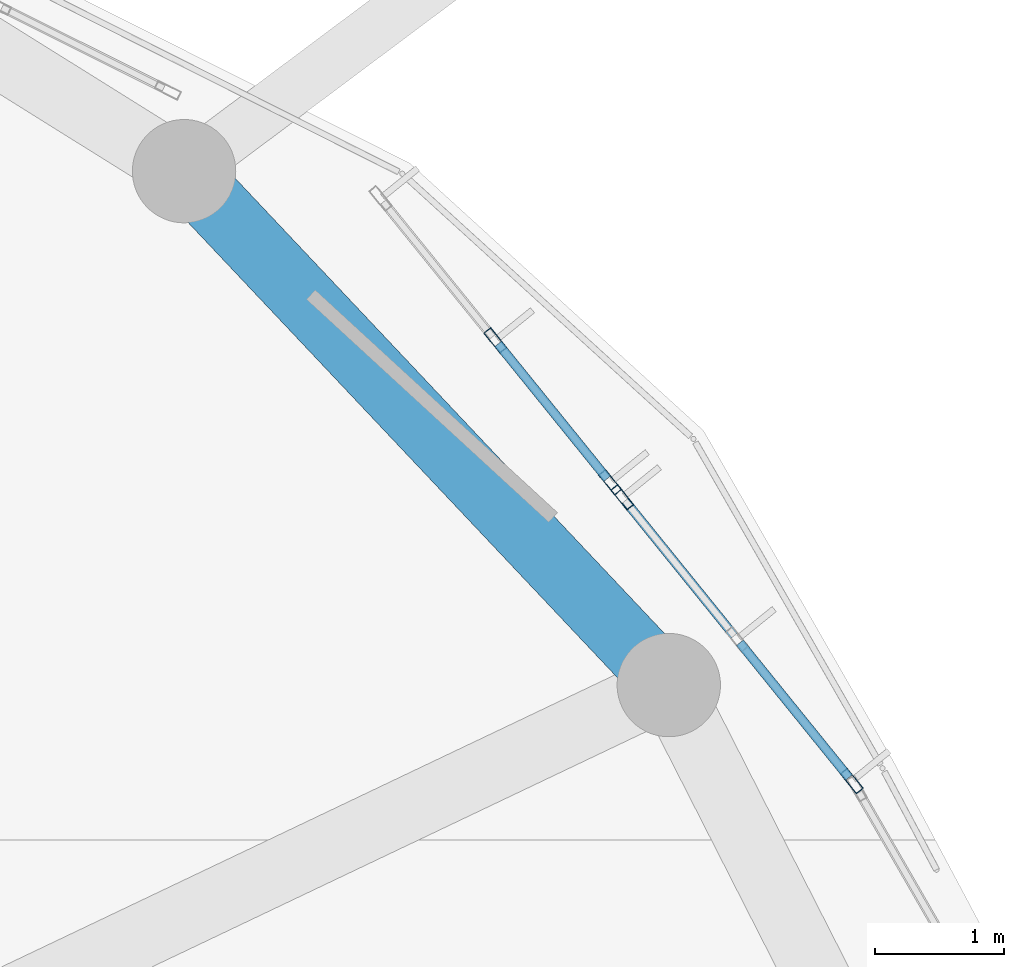
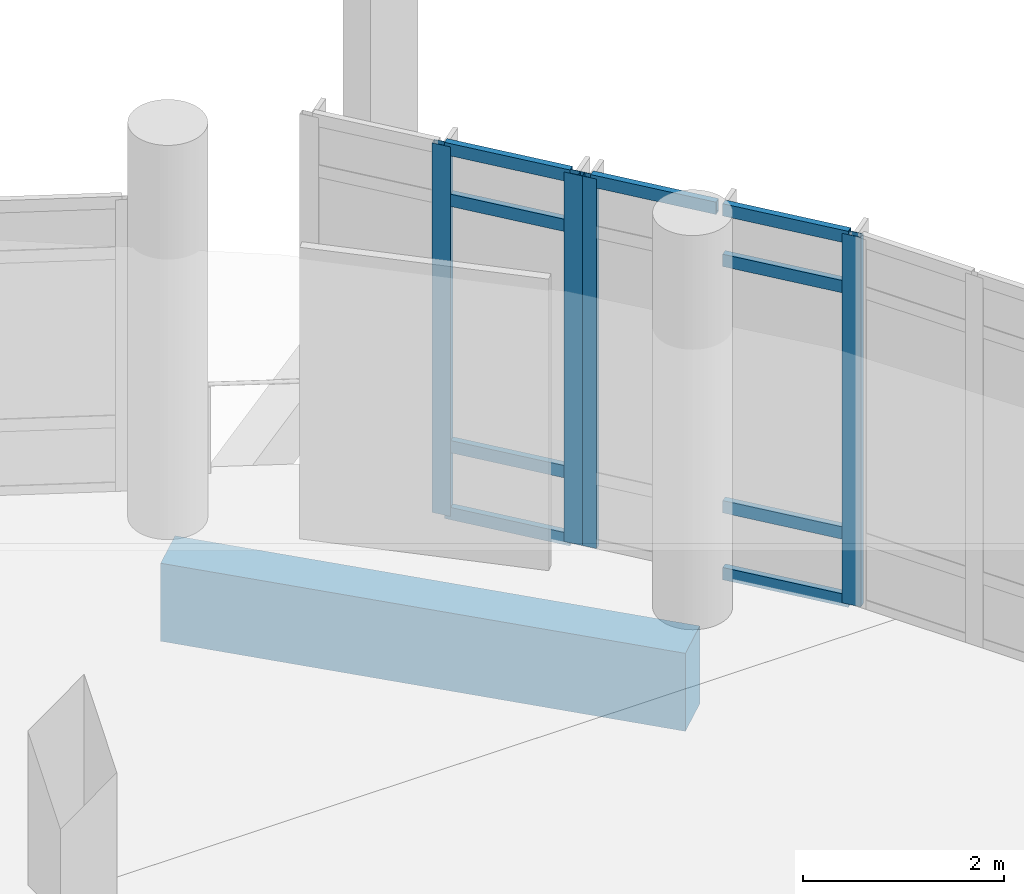
# One storey, part 16 of 63: 13 members, 1 beam, 2 elements without a shape of their own.
"""IFC4 building model written with IfcOpenShell, lengths in metres."""

from ifc_helpers import new_model, si_unit, derived_unit, direction, frame, origin, origin_2d, place, context, subcontext, project, spatial, rectangle, hollow_rectangle, extrude, material, layer, layer_set, material_profile, profile_set, type_object, element, aggregate, save


model = new_model("IFC4")

# Units and contexts
model_context = context("Model", 3, precision=1e-05, world=origin(), true_north=direction((0.0, 1.0)))
body_context = subcontext(model_context, "Body", "Model", "MODEL_VIEW")
ifc_project = project(units=[si_unit("LENGTHUNIT", "METRE"), si_unit("AREAUNIT", "SQUARE_METRE"), si_unit("VOLUMEUNIT", "CUBIC_METRE"), si_unit("PLANEANGLEUNIT", "RADIAN"), si_unit("MASSUNIT", "GRAM", prefix="KILO"), derived_unit("THERMALTRANSMITTANCEUNIT", [(si_unit("POWERUNIT", "WATT"), 1), (si_unit("LENGTHUNIT", "METRE"), -2), (si_unit("THERMODYNAMICTEMPERATUREUNIT", "KELVIN"), -1)])], contexts=[model_context])

# Site, building, storey
site_placement = place(None, origin())
site = spatial("IfcSite", under=ifc_project, at=site_placement, CompositionType="ELEMENT")
building_placement = place(site_placement, origin())
building = spatial("IfcBuilding", under=site, at=building_placement, Name="Elbkamm Science Centre", CompositionType="ELEMENT")
storey_placement = place(building_placement, frame((0.0, 0.0, 5.10009765625)))
storey = spatial("IfcBuildingStorey", under=building, at=storey_placement, Name="L01", CompositionType="ELEMENT", Elevation=5.10009765625)

# Beam
ifc_material_1 = material(Name="Concrete C40/50", Category="concrete")
ifc_material_profile_1 = material_profile(ifc_material_1, rectangle(XDim=0.5, YDim=0.949951171875, at=origin_2d()), Name="RC 500x950")
ifc_profile_set_1 = profile_set([ifc_material_profile_1], Name="Concrete C40/50")
beam_type = type_object("IfcBeamType", Name="BM-RC-500x950", PredefinedType="BEAM", material=ifc_profile_set_1)
beam_placement = place(storey_placement, frame((83.43798828125, 76.800048828125, -0.875), z_axis=(-0.686144611421, 0.727465169075, 0.0), x_axis=(-0.727465169075, -0.686144611421, 0.0)))
element("IfcBeam", 1, at=beam_placement, inside=storey, type_object=beam_type, Name="L01 Elliptical Shell Perimeter Ring Beam 03", PredefinedType="SPANDREL", context=body_context, shape_type="SweptSolid", body=[
    extrude(rectangle(XDim=0.5, YDim=0.949951171875, at=origin_2d()), origin(), (0.0, 0.0, 1.0), 5.46533203125),
])

# Curtain wall, members
ifc_material_2 = material(Name="Powder-coated aluminium and triple low-E glazing", Category="aluminium")
ifc_layer = layer(ifc_material_2, 0.159912109375)
ifc_layer_set = layer_set([ifc_layer], Name="Powder-coated aluminium and triple low-E glazing")
curtain_wall_type = type_object("IfcCurtainWallType", Name="CW-UNIT-2900x4500", PredefinedType="USERDEFINED", material=ifc_layer_set)
curtain_wall_1_placement = place(storey_placement, origin())
curtain_wall_1 = element("IfcCurtainWall", 2, at=curtain_wall_1_placement, inside=storey, type_object=curtain_wall_type, Name="L01 Unitised Curtain Wall 004", ObjectType="UNITISED CURTAIN WALL", PredefinedType="USERDEFINED")
ifc_material_3 = material(Name="Powder-coated aluminium EN AW-6060", Category="aluminium")
ifc_material_profile_2 = material_profile(ifc_material_3, hollow_rectangle(XDim=0.070068359375, YDim=0.199951171875, WallThickness=0.00439453125, at=origin_2d()), Name="ALU M70x200")
ifc_profile_set_2 = profile_set([ifc_material_profile_2], Name="Powder-coated aluminium EN AW-6060")
member_type_1 = type_object("IfcMemberType", Name="CW-MUL-70x200", PredefinedType="MULLION", material=ifc_profile_set_2)
member_1_placement = place(storey_placement, frame((84.853759765625, 76.05712890625, 0.0), z_axis=(0.0, 0.0, 1.0), x_axis=(-0.777492683372, -0.628891983811, 0.0)))
member_1 = element("IfcMember", 3, at=member_1_placement, type_object=member_type_1, Name="CW-003 mullion 1", PredefinedType="MULLION", context=body_context, shape_type="SweptSolid", body=[
    extrude(hollow_rectangle(XDim=0.070068359375, YDim=0.199951171875, WallThickness=0.00439453125, at=origin_2d()), origin(), (0.0, 0.0, 1.0), 4.5),
])
member_2_placement = place(storey_placement, frame((83.078125, 78.252685546875, 0.0), z_axis=(0.0, 0.0, 1.0), x_axis=(-0.777492683372, -0.628891983811, 0.0)))
member_2 = element("IfcMember", 4, at=member_2_placement, type_object=member_type_1, Name="CW-003 mullion 3", PredefinedType="MULLION", context=body_context, shape_type="SweptSolid", body=[
    extrude(hollow_rectangle(XDim=0.070068359375, YDim=0.199951171875, WallThickness=0.00439453125, at=origin_2d()), origin(), (0.0, 0.0, 1.0), 4.5),
])

curtain_wall_2_placement = place(storey_placement, origin())
curtain_wall_2 = element("IfcCurtainWall", 5, at=curtain_wall_2_placement, inside=storey, type_object=curtain_wall_type, Name="L01 Unitised Curtain Wall 005", ObjectType="UNITISED CURTAIN WALL", PredefinedType="USERDEFINED")
member_3_placement = place(storey_placement, frame((82.983642578125, 78.369140625, 0.0), z_axis=(0.0, 0.0, 1.0), x_axis=(-0.777492683372, -0.628891983811, 0.0)))
member_3 = element("IfcMember", 6, at=member_3_placement, type_object=member_type_1, Name="CW-003 mullion 1", PredefinedType="MULLION", context=body_context, shape_type="SweptSolid", body=[
    extrude(hollow_rectangle(XDim=0.070068359375, YDim=0.199951171875, WallThickness=0.00439453125, at=origin_2d()), origin(), (0.0, 0.0, 1.0), 4.5),
])
member_4_placement = place(storey_placement, frame((82.095703125, 79.466796875, 0.0), z_axis=(0.0, 0.0, 1.0), x_axis=(-0.777492683372, -0.628891983811, 0.0)))
member_4 = element("IfcMember", 7, at=member_4_placement, type_object=member_type_1, Name="CW-003 mullion 2", PredefinedType="MULLION", context=body_context, shape_type="SweptSolid", body=[
    extrude(hollow_rectangle(XDim=0.070068359375, YDim=0.199951171875, WallThickness=0.00439453125, at=origin_2d()), origin(), (0.0, 0.0, 1.0), 4.5),
])

# Member
ifc_material_profile_3 = material_profile(ifc_material_3, hollow_rectangle(XDim=0.070068359375, YDim=0.14990234375, WallThickness=0.00390625, at=origin_2d()), Name="ALU T70x150")
ifc_profile_set_3 = profile_set([ifc_material_profile_3], Name="Powder-coated aluminium EN AW-6060")
member_type_2 = type_object("IfcMemberType", Name="CW-TRN-70x150", PredefinedType="USERDEFINED", material=ifc_profile_set_3)
member_5_placement = place(storey_placement, frame((84.831787109375, 76.08447265625, 0.034912109375), z_axis=(-0.628967909385, 0.777431263176, 0.0), x_axis=(-0.777431263176, -0.628967909385, 0.0)))
member_5 = element("IfcMember", 8, at=member_5_placement, type_object=member_type_2, Name="CW-003 transom 1.1", ObjectType="TRANSOM", PredefinedType="USERDEFINED", context=body_context, shape_type="SweptSolid", body=[
    extrude(hollow_rectangle(XDim=0.070068359375, YDim=0.14990234375, WallThickness=0.00390625, at=origin_2d()), origin(), (0.0, 0.0, 1.0), 1.341796875),
])

member_6_placement = place(storey_placement, frame((84.831787109375, 76.08447265625, 0.849853515625), z_axis=(-0.628967909385, 0.777431263176, 0.0), x_axis=(-0.777431263176, -0.628967909385, 0.0)))
member_6 = element("IfcMember", 9, at=member_6_placement, type_object=member_type_2, Name="CW-003 transom 1.2", ObjectType="TRANSOM", PredefinedType="USERDEFINED", context=body_context, shape_type="SweptSolid", body=[
    extrude(hollow_rectangle(XDim=0.070068359375, YDim=0.14990234375, WallThickness=0.00390625, at=origin_2d()), origin(), (0.0, 0.0, 1.0), 1.341796875),
])

member_7_placement = place(storey_placement, frame((84.831787109375, 76.08447265625, 3.849853515625), z_axis=(-0.628967909385, 0.777431263176, 0.0), x_axis=(-0.777431263176, -0.628967909385, 0.0)))
member_7 = element("IfcMember", 10, at=member_7_placement, type_object=member_type_2, Name="CW-003 transom 1.3", ObjectType="TRANSOM", PredefinedType="USERDEFINED", context=body_context, shape_type="SweptSolid", body=[
    extrude(hollow_rectangle(XDim=0.070068359375, YDim=0.14990234375, WallThickness=0.00390625, at=origin_2d()), origin(), (0.0, 0.0, 1.0), 1.341796875),
])

member_8_placement = place(storey_placement, frame((84.831787109375, 76.08447265625, 4.46484375), z_axis=(-0.628967909385, 0.777431263176, 0.0), x_axis=(-0.777431263176, -0.628967909385, 0.0)))
member_8 = element("IfcMember", 11, at=member_8_placement, type_object=member_type_2, Name="CW-003 transom 1.4", ObjectType="TRANSOM", PredefinedType="USERDEFINED", context=body_context, shape_type="SweptSolid", body=[
    extrude(hollow_rectangle(XDim=0.070068359375, YDim=0.14990234375, WallThickness=0.00390625, at=origin_2d()), origin(), (0.0, 0.0, 1.0), 1.341796875),
])

member_9_placement = place(storey_placement, frame((83.94384765625, 77.18212890625, 4.46484375), z_axis=(-0.628857925854, 0.777520230663, 0.0), x_axis=(-0.777520230663, -0.628857925854, 0.0)))
member_9 = element("IfcMember", 12, at=member_9_placement, type_object=member_type_2, Name="CW-003 transom 2.4", ObjectType="TRANSOM", PredefinedType="USERDEFINED", context=body_context, shape_type="SweptSolid", body=[
    extrude(hollow_rectangle(XDim=0.070068359375, YDim=0.14990234375, WallThickness=0.00390625, at=origin_2d()), origin(), (0.0, 0.0, 1.0), 1.341796875),
])

aggregate(curtain_wall_1, [member_1, member_2, member_5, member_6, member_7, member_8, member_9])

member_10_placement = place(storey_placement, frame((82.961669921875, 78.396484375, 0.034912109375), z_axis=(-0.628857925854, 0.777520230663, 0.0), x_axis=(-0.777520230663, -0.628857925854, 0.0)))
member_10 = element("IfcMember", 13, at=member_10_placement, type_object=member_type_2, Name="CW-003 transom 1.1", ObjectType="TRANSOM", PredefinedType="USERDEFINED", context=body_context, shape_type="SweptSolid", body=[
    extrude(hollow_rectangle(XDim=0.070068359375, YDim=0.14990234375, WallThickness=0.00390625, at=origin_2d()), origin(), (0.0, 0.0, 1.0), 1.341796875),
])

member_11_placement = place(storey_placement, frame((82.961669921875, 78.396484375, 0.849853515625), z_axis=(-0.628857925854, 0.777520230663, 0.0), x_axis=(-0.777520230663, -0.628857925854, 0.0)))
member_11 = element("IfcMember", 14, at=member_11_placement, type_object=member_type_2, Name="CW-003 transom 1.2", ObjectType="TRANSOM", PredefinedType="USERDEFINED", context=body_context, shape_type="SweptSolid", body=[
    extrude(hollow_rectangle(XDim=0.070068359375, YDim=0.14990234375, WallThickness=0.00390625, at=origin_2d()), origin(), (0.0, 0.0, 1.0), 1.341796875),
])

member_12_placement = place(storey_placement, frame((82.961669921875, 78.396484375, 3.849853515625), z_axis=(-0.628857925854, 0.777520230663, 0.0), x_axis=(-0.777520230663, -0.628857925854, 0.0)))
member_12 = element("IfcMember", 15, at=member_12_placement, type_object=member_type_2, Name="CW-003 transom 1.3", ObjectType="TRANSOM", PredefinedType="USERDEFINED", context=body_context, shape_type="SweptSolid", body=[
    extrude(hollow_rectangle(XDim=0.070068359375, YDim=0.14990234375, WallThickness=0.00390625, at=origin_2d()), origin(), (0.0, 0.0, 1.0), 1.341796875),
])

member_13_placement = place(storey_placement, frame((82.961669921875, 78.396484375, 4.46484375), z_axis=(-0.628857925854, 0.777520230663, 0.0), x_axis=(-0.777520230663, -0.628857925854, 0.0)))
member_13 = element("IfcMember", 16, at=member_13_placement, type_object=member_type_2, Name="CW-003 transom 1.4", ObjectType="TRANSOM", PredefinedType="USERDEFINED", context=body_context, shape_type="SweptSolid", body=[
    extrude(hollow_rectangle(XDim=0.070068359375, YDim=0.14990234375, WallThickness=0.00390625, at=origin_2d()), origin(), (0.0, 0.0, 1.0), 1.341796875),
])

aggregate(curtain_wall_2, [member_3, member_4, member_10, member_11, member_12, member_13])

save(model, "model.ifc")
